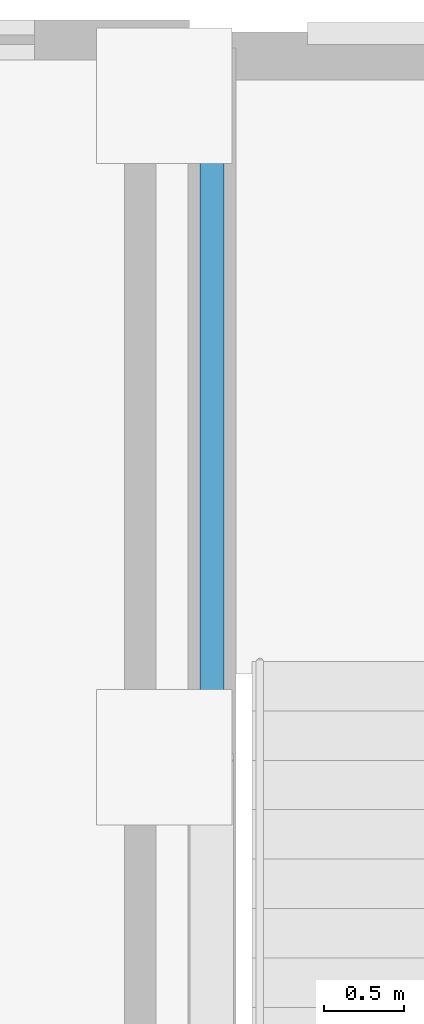
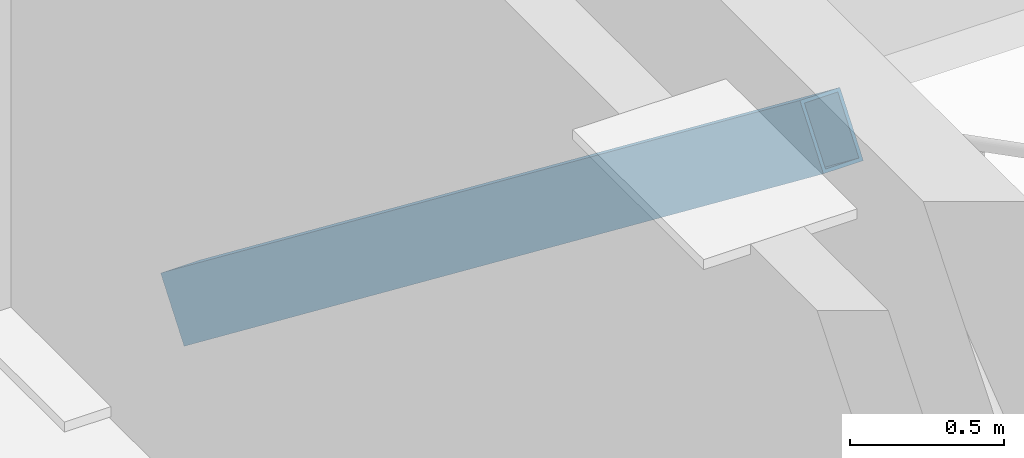
# One storey, part 2 of 6: 1 member.
"""IFC4 building model written with IfcOpenShell, lengths in metres."""

from ifc_helpers import new_model, si_unit, direction, frame, origin, origin_2d, place, context, subcontext, project, spatial, hollow_rectangle, extrude, material, material_profile, profile_set, type_object, element, save


model = new_model("IFC4")

# Units and contexts
model_context = context("Model", 3, precision=1e-05, world=origin(), true_north=direction((0.0, 1.0)))
body_context = subcontext(model_context, "Body", "Model", "MODEL_VIEW")
ifc_project = project(units=[si_unit("LENGTHUNIT", "METRE"), si_unit("AREAUNIT", "SQUARE_METRE"), si_unit("VOLUMEUNIT", "CUBIC_METRE"), si_unit("PLANEANGLEUNIT", "RADIAN"), si_unit("MASSUNIT", "GRAM", prefix="KILO")], contexts=[model_context])

# Site, building, storey
site_placement = place(None, origin())
site = spatial("IfcSite", under=ifc_project, at=site_placement, CompositionType="ELEMENT")
building_placement = place(site_placement, origin())
building = spatial("IfcBuilding", under=site, at=building_placement, Name="Catumbela Crestline Tower", CompositionType="ELEMENT")
storey_placement = place(building_placement, frame((0.0, 0.0, 304.5)))
storey = spatial("IfcBuildingStorey", under=building, at=storey_placement, Name="L78", CompositionType="ELEMENT", Elevation=304.5)

# Member
ifc_material = material(Name="Structural steel S355J2", Category="steel")
ifc_material_profile = material_profile(ifc_material, hollow_rectangle(XDim=0.15, YDim=0.25, WallThickness=0.0125, at=origin_2d()), Name="RHS 250x150x12.5")
ifc_profile_set = profile_set([ifc_material_profile], Name="Structural steel S355J2")
member_type = type_object("IfcMemberType", Name="CS-250", PredefinedType="STRUT", material=ifc_profile_set)
member_placement = place(storey_placement, frame((16.0, 38.5, 3.21), z_axis=(0.0, 0.791914074685, -0.610632539516), x_axis=(-1.0, 0.0, 0.0)))
element("IfcMember", 1, at=member_placement, inside=storey, type_object=member_type, Name="L78 Crown Wind Frame Strut 2", PredefinedType="STRUT", context=body_context, shape_type="SweptSolid", body=[
    extrude(hollow_rectangle(XDim=0.15, YDim=0.25, WallThickness=0.0125, at=origin_2d()), origin(), (0.0, 0.0, 1.0), 5.2405),
])

save(model, "model.ifc")
